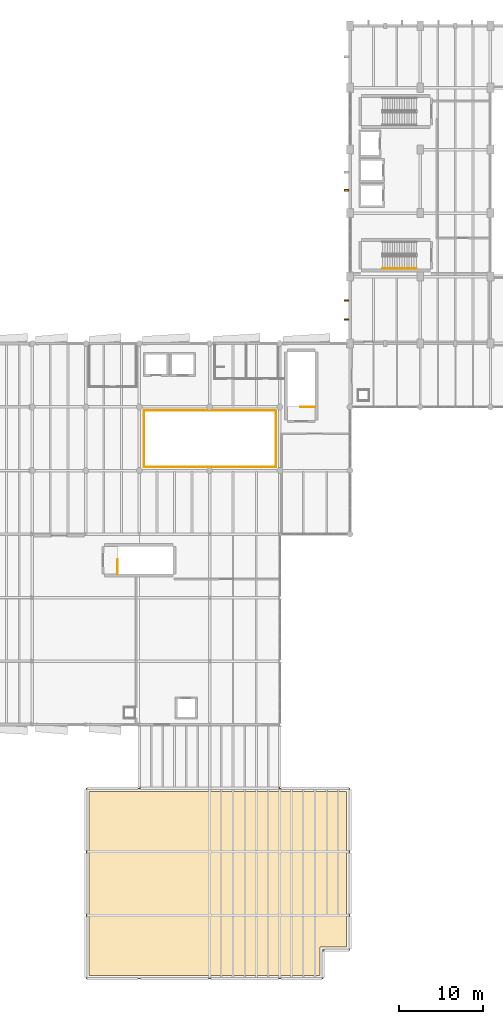
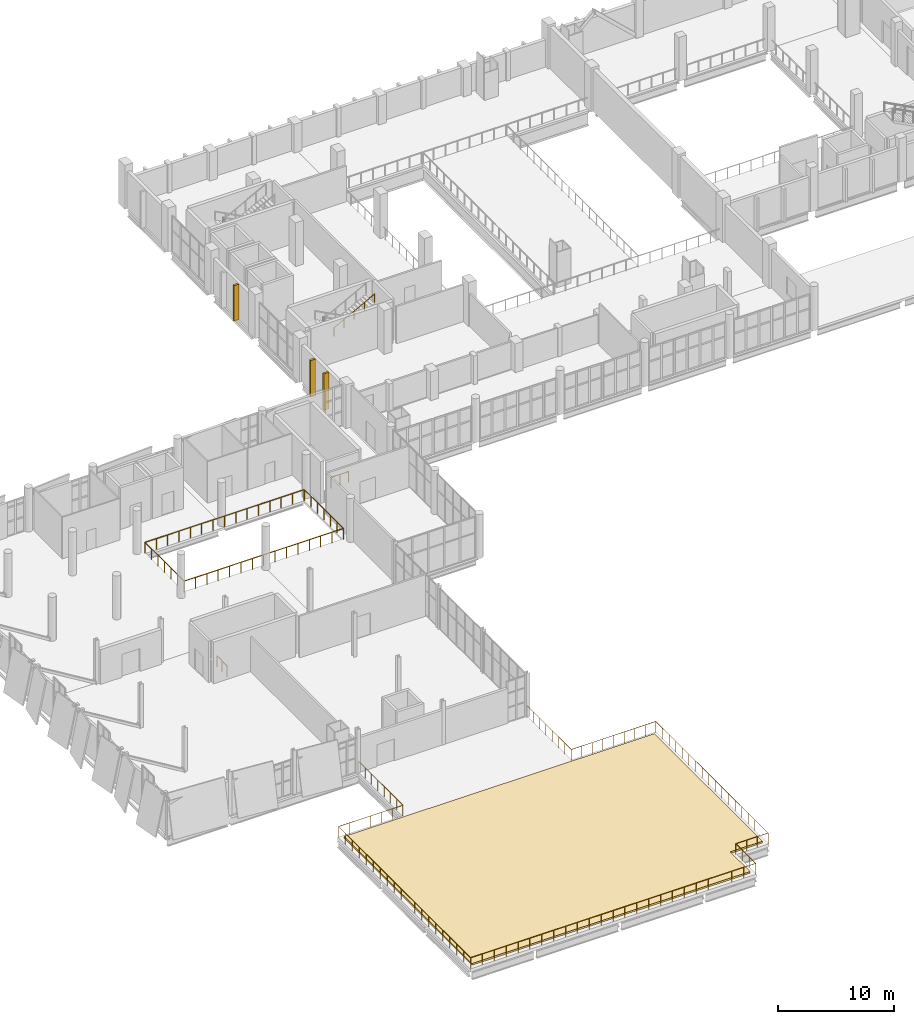
# One storey, part 67 of 74: 6 railings, 3 shading devices, 1 covering.
"""IFC4 building model written with IfcOpenShell, lengths in metres."""

from ifc_helpers import new_model, si_unit, direction, frame, origin, origin_2d, place, context, subcontext, project, spatial, polyline, rectangle, circle, outline, extrude, material, layer, layer_set, type_object, element, save


model = new_model("IFC4")

# Units and contexts
model_context = context("Model", 3, precision=1e-05, world=origin(), true_north=direction((0.0, 1.0)))
body_context = subcontext(model_context, "Body", "Model", "MODEL_VIEW")
ifc_project = project(units=[si_unit("LENGTHUNIT", "METRE"), si_unit("AREAUNIT", "SQUARE_METRE"), si_unit("VOLUMEUNIT", "CUBIC_METRE"), si_unit("PLANEANGLEUNIT", "RADIAN"), si_unit("MASSUNIT", "GRAM", prefix="KILO")], contexts=[model_context])

# Site, building, storey
site_placement = place(None, origin())
site = spatial("IfcSite", under=ifc_project, at=site_placement, CompositionType="ELEMENT")
building_placement = place(site_placement, origin())
building = spatial("IfcBuilding", under=site, at=building_placement, Name="Shengluoqiao Park Theatre", CompositionType="ELEMENT")
storey_placement = place(building_placement, frame((0.0, 0.0, 14.60009765625)))
storey = spatial("IfcBuildingStorey", under=building, at=storey_placement, Name="L03", CompositionType="ELEMENT", Elevation=14.60009765625)

# Covering
ifc_material_1 = material(Name="Planted roof substrate")
ifc_layer_1 = layer(ifc_material_1, 0.179931640625, Name="Planted roof substrate")
ifc_layer_set_1 = layer_set([ifc_layer_1], Name="Planted roof substrate")
covering_type = type_object("IfcCoveringType", Name="ENV-COV-RFGRN", PredefinedType="ROOFING", material=ifc_layer_set_1)
covering_placement = place(storey_placement, origin())
element("IfcCovering", 1, at=covering_placement, inside=storey, type_object=covering_type, Name="V4 Planted Roof Garden Substrate Layer", PredefinedType="ROOFING", context=body_context, shape_type="SweptSolid", body=[
    extrude(outline(polyline([(13.199951171875, 0.39990234375), (40.800048828125, 0.39990234375), (40.800048828125, 3.800048828125), (44.0, 3.800048828125), (44.0, 22.39990234375), (13.199951171875, 22.39990234375), (13.199951171875, 0.39990234375)])), origin(), (0.0, 0.0, 1.0), 0.179931640625),
])

# Shading devices
ifc_material_2 = material(Name="Concrete C45", Category="concrete")
ifc_layer_2 = layer(ifc_material_2, 0.199951171875, Name="Concrete C45")
ifc_layer_set_2 = layer_set([ifc_layer_2], Name="Concrete C45")
shading_device_type = type_object("IfcShadingDeviceType", Name="ENV-FIN-520x200", PredefinedType="USERDEFINED", material=ifc_layer_set_2)
for number, where, z_axis, x_axis, name in (
    (2, (43.989990234375, 78.851318359375, 0.02001953125), (0.0, 0.0, 1.0), (-1.0, 0.0, 0.0), "L03 Vertical Concrete Acoustic Rib 0055"),
    (3, (43.989990234375, 81.148681640625, 0.02001953125), (0.0, 0.0, 1.0), (-1.0, 0.0, 0.0), "L03 Vertical Concrete Acoustic Rib 0056"),
):
    element("IfcShadingDevice", number, at=place(storey_placement, frame(where, z_axis=z_axis, x_axis=x_axis)), inside=storey, type_object=shading_device_type, Name=name, ObjectType="FIN", PredefinedType="USERDEFINED", context=body_context, shape_type="SweptSolid", body=[
        extrude(rectangle(XDim=0.52001953125, YDim=0.199951171875, at=origin_2d()), origin(), (0.0, 0.0, 1.0), 3.837890625),
    ])
shading_device_placement = place(storey_placement, frame((43.989990234375, 94.318115234375, 0.02001953125), z_axis=(0.0, 0.0, 1.0), x_axis=(-1.0, 0.0, 0.0)))
element("IfcShadingDevice", 4, at=shading_device_placement, inside=storey, type_object=shading_device_type, Name="L03 Vertical Concrete Acoustic Rib 0057", ObjectType="FIN", PredefinedType="USERDEFINED", context=body_context, shape_type="SweptSolid", body=[
    extrude(rectangle(XDim=0.52001953125, YDim=0.199951171875, at=origin_2d()), origin(), (0.0, 0.0, 1.0), 3.7099609375),
])

# Railings
ifc_material_3 = material(Name="Stainless steel 316", Category="steel")
railing_type_1 = type_object("IfcRailingType", Name="ENV-RL-GRD115", PredefinedType="GUARDRAIL", material=ifc_material_3)
railing_1_placement = place(storey_placement, frame((19.25, 30.35009765625, 0.0)))
element("IfcRailing", 5, at=railing_1_placement, inside=storey, type_object=railing_type_1, Name="V4 Planted Roof Garden Safety Guardrail", PredefinedType="GUARDRAIL", context=body_context, shape_type="SweptSolid", body=[
    extrude(circle(Radius=0.02392578125, at=origin_2d()), frame((0.0, 0.0, 1.1259765625), z_axis=(0.0, -1.0, 0.0), x_axis=(1.0, 0.0, 0.0)), (0.0, 0.0, 1.0), 7.60009765625),
    extrude(circle(Radius=0.02392578125, at=origin_2d()), frame((0.0, -7.60009765625, 1.1259765625), z_axis=(-1.0, 0.0, 0.0), x_axis=(0.0, -1.0, 0.0)), (0.0, 0.0, 1.0), 6.39990234375),
    extrude(circle(Radius=0.02392578125, at=origin_2d()), frame((-6.39990234375, -7.60009765625, 1.1259765625), z_axis=(0.0, -1.0, 0.0), x_axis=(1.0, 0.0, 0.0)), (0.0, 0.0, 1.0), 22.699951171875),
    extrude(circle(Radius=0.02392578125, at=origin_2d()), frame((-6.39990234375, -30.300048828125, 1.1259765625), z_axis=(1.0, 0.0, 0.0), x_axis=(0.0, 1.0, 0.0)), (0.0, 0.0, 1.0), 28.2998046875),
    extrude(circle(Radius=0.02392578125, at=origin_2d()), frame((21.89990234375, -30.300048828125, 1.1259765625), z_axis=(0.0, 1.0, 0.0), x_axis=(-1.0, 0.0, 0.0)), (0.0, 0.0, 1.0), 3.39990234375),
    extrude(circle(Radius=0.02392578125, at=origin_2d()), frame((21.89990234375, -26.900146484375, 1.1259765625), z_axis=(1.0, 0.0, 0.0), x_axis=(0.0, 1.0, 0.0)), (0.0, 0.0, 1.0), 3.2001953125),
    extrude(circle(Radius=0.02392578125, at=origin_2d()), frame((25.10009765625, -26.900146484375, 1.1259765625), z_axis=(0.0, 1.0, 0.0), x_axis=(-1.0, 0.0, 0.0)), (0.0, 0.0, 1.0), 19.300048828125),
    extrude(circle(Radius=0.02392578125, at=origin_2d()), frame((25.10009765625, -7.60009765625, 1.1259765625), z_axis=(-1.0, 0.0, 0.0), x_axis=(0.0, -1.0, 0.0)), (0.0, 0.0, 1.0), 8.400146484375),
    extrude(circle(Radius=0.02392578125, at=origin_2d()), frame((16.699951171875, -7.60009765625, 1.1259765625), z_axis=(0.0, 1.0, 0.0), x_axis=(-1.0, 0.0, 0.0)), (0.0, 0.0, 1.0), 7.60009765625),
    extrude(circle(Radius=0.02099609375, at=origin_2d()), origin(), (0.0, 0.0, 1.0), 1.101806640625),
    extrude(circle(Radius=0.02099609375, at=origin_2d()), frame((0.0, -1.085693359375, 0.0)), (0.0, 0.0, 1.0), 1.101806640625),
    extrude(circle(Radius=0.02099609375, at=origin_2d()), frame((0.0, -2.17138671875, 0.0)), (0.0, 0.0, 1.0), 1.101806640625),
    extrude(circle(Radius=0.02099609375, at=origin_2d()), frame((0.0, -3.257080078125, 0.0)), (0.0, 0.0, 1.0), 1.101806640625),
    extrude(circle(Radius=0.02099609375, at=origin_2d()), frame((0.0, -4.343017578125, 0.0)), (0.0, 0.0, 1.0), 1.101806640625),
    extrude(circle(Radius=0.02099609375, at=origin_2d()), frame((0.0, -5.4287109375, 0.0)), (0.0, 0.0, 1.0), 1.101806640625),
    extrude(circle(Radius=0.02099609375, at=origin_2d()), frame((0.0, -6.514404296875, 0.0)), (0.0, 0.0, 1.0), 1.101806640625),
    extrude(circle(Radius=0.02099609375, at=origin_2d()), frame((0.0, -7.60009765625, 0.0)), (0.0, 0.0, 1.0), 1.101806640625),
    extrude(circle(Radius=0.02099609375, at=origin_2d()), frame((-1.066650390625, -7.60009765625, 0.0)), (0.0, 0.0, 1.0), 1.101806640625),
    extrude(circle(Radius=0.02099609375, at=origin_2d()), frame((-2.13330078125, -7.60009765625, 0.0)), (0.0, 0.0, 1.0), 1.101806640625),
    extrude(circle(Radius=0.02099609375, at=origin_2d()), frame((-3.199951171875, -7.60009765625, 0.0)), (0.0, 0.0, 1.0), 1.101806640625),
    extrude(circle(Radius=0.02099609375, at=origin_2d()), frame((-4.2666015625, -7.60009765625, 0.0)), (0.0, 0.0, 1.0), 1.101806640625),
    extrude(circle(Radius=0.02099609375, at=origin_2d()), frame((-5.333251953125, -7.60009765625, 0.0)), (0.0, 0.0, 1.0), 1.101806640625),
    extrude(circle(Radius=0.02099609375, at=origin_2d()), frame((-6.39990234375, -7.60009765625, 0.0)), (0.0, 0.0, 1.0), 1.101806640625),
    extrude(circle(Radius=0.02099609375, at=origin_2d()), frame((-6.39990234375, -8.794921875, 0.0)), (0.0, 0.0, 1.0), 1.101806640625),
    extrude(circle(Radius=0.02099609375, at=origin_2d()), frame((-6.39990234375, -9.989501953125, 0.0)), (0.0, 0.0, 1.0), 1.101806640625),
    extrude(circle(Radius=0.02099609375, at=origin_2d()), frame((-6.39990234375, -11.184326171875, 0.0)), (0.0, 0.0, 1.0), 1.101806640625),
    extrude(circle(Radius=0.02099609375, at=origin_2d()), frame((-6.39990234375, -12.379150390625, 0.0)), (0.0, 0.0, 1.0), 1.101806640625),
    extrude(circle(Radius=0.02099609375, at=origin_2d()), frame((-6.39990234375, -13.57373046875, 0.0)), (0.0, 0.0, 1.0), 1.101806640625),
    extrude(circle(Radius=0.02099609375, at=origin_2d()), frame((-6.39990234375, -14.7685546875, 0.0)), (0.0, 0.0, 1.0), 1.101806640625),
    extrude(circle(Radius=0.02099609375, at=origin_2d()), frame((-6.39990234375, -15.963134765625, 0.0)), (0.0, 0.0, 1.0), 1.101806640625),
    extrude(circle(Radius=0.02099609375, at=origin_2d()), frame((-6.39990234375, -17.157958984375, 0.0)), (0.0, 0.0, 1.0), 1.101806640625),
    extrude(circle(Radius=0.02099609375, at=origin_2d()), frame((-6.39990234375, -18.352783203125, 0.0)), (0.0, 0.0, 1.0), 1.101806640625),
    extrude(circle(Radius=0.02099609375, at=origin_2d()), frame((-6.39990234375, -19.54736328125, 0.0)), (0.0, 0.0, 1.0), 1.101806640625),
    extrude(circle(Radius=0.02099609375, at=origin_2d()), frame((-6.39990234375, -20.7421875, 0.0)), (0.0, 0.0, 1.0), 1.101806640625),
    extrude(circle(Radius=0.02099609375, at=origin_2d()), frame((-6.39990234375, -21.93701171875, 0.0)), (0.0, 0.0, 1.0), 1.101806640625),
    extrude(circle(Radius=0.02099609375, at=origin_2d()), frame((-6.39990234375, -23.131591796875, 0.0)), (0.0, 0.0, 1.0), 1.101806640625),
    extrude(circle(Radius=0.02099609375, at=origin_2d()), frame((-6.39990234375, -24.326416015625, 0.0)), (0.0, 0.0, 1.0), 1.101806640625),
    extrude(circle(Radius=0.02099609375, at=origin_2d()), frame((-6.39990234375, -25.52099609375, 0.0)), (0.0, 0.0, 1.0), 1.101806640625),
    extrude(circle(Radius=0.02099609375, at=origin_2d()), frame((-6.39990234375, -26.7158203125, 0.0)), (0.0, 0.0, 1.0), 1.101806640625),
    extrude(circle(Radius=0.02099609375, at=origin_2d()), frame((-6.39990234375, -27.91064453125, 0.0)), (0.0, 0.0, 1.0), 1.101806640625),
    extrude(circle(Radius=0.02099609375, at=origin_2d()), frame((-6.39990234375, -29.105224609375, 0.0)), (0.0, 0.0, 1.0), 1.101806640625),
    extrude(circle(Radius=0.02099609375, at=origin_2d()), frame((-6.39990234375, -30.300048828125, 0.0)), (0.0, 0.0, 1.0), 1.101806640625),
    extrude(circle(Radius=0.02099609375, at=origin_2d()), frame((-5.220703125, -30.300048828125, 0.0)), (0.0, 0.0, 1.0), 1.101806640625),
    extrude(circle(Radius=0.02099609375, at=origin_2d()), frame((-4.04150390625, -30.300048828125, 0.0)), (0.0, 0.0, 1.0), 1.101806640625),
    extrude(circle(Radius=0.02099609375, at=origin_2d()), frame((-2.8623046875, -30.300048828125, 0.0)), (0.0, 0.0, 1.0), 1.101806640625),
    extrude(circle(Radius=0.02099609375, at=origin_2d()), frame((-1.683349609375, -30.300048828125, 0.0)), (0.0, 0.0, 1.0), 1.101806640625),
    extrude(circle(Radius=0.02099609375, at=origin_2d()), frame((-0.504150390625, -30.300048828125, 0.0)), (0.0, 0.0, 1.0), 1.101806640625),
    extrude(circle(Radius=0.02099609375, at=origin_2d()), frame((0.675048828125, -30.300048828125, 0.0)), (0.0, 0.0, 1.0), 1.101806640625),
    extrude(circle(Radius=0.02099609375, at=origin_2d()), frame((1.854248046875, -30.300048828125, 0.0)), (0.0, 0.0, 1.0), 1.101806640625),
    extrude(circle(Radius=0.02099609375, at=origin_2d()), frame((3.033447265625, -30.300048828125, 0.0)), (0.0, 0.0, 1.0), 1.101806640625),
    extrude(circle(Radius=0.02099609375, at=origin_2d()), frame((4.21240234375, -30.300048828125, 0.0)), (0.0, 0.0, 1.0), 1.101806640625),
    extrude(circle(Radius=0.02099609375, at=origin_2d()), frame((5.3916015625, -30.300048828125, 0.0)), (0.0, 0.0, 1.0), 1.101806640625),
    extrude(circle(Radius=0.02099609375, at=origin_2d()), frame((6.57080078125, -30.300048828125, 0.0)), (0.0, 0.0, 1.0), 1.101806640625),
    extrude(circle(Radius=0.02099609375, at=origin_2d()), frame((7.75, -30.300048828125, 0.0)), (0.0, 0.0, 1.0), 1.101806640625),
    extrude(circle(Radius=0.02099609375, at=origin_2d()), frame((8.92919921875, -30.300048828125, 0.0)), (0.0, 0.0, 1.0), 1.101806640625),
    extrude(circle(Radius=0.02099609375, at=origin_2d()), frame((10.1083984375, -30.300048828125, 0.0)), (0.0, 0.0, 1.0), 1.101806640625),
    extrude(circle(Radius=0.02099609375, at=origin_2d()), frame((11.28759765625, -30.300048828125, 0.0)), (0.0, 0.0, 1.0), 1.101806640625),
    extrude(circle(Radius=0.02099609375, at=origin_2d()), frame((12.466552734375, -30.300048828125, 0.0)), (0.0, 0.0, 1.0), 1.101806640625),
    extrude(circle(Radius=0.02099609375, at=origin_2d()), frame((13.645751953125, -30.300048828125, 0.0)), (0.0, 0.0, 1.0), 1.101806640625),
    extrude(circle(Radius=0.02099609375, at=origin_2d()), frame((14.824951171875, -30.300048828125, 0.0)), (0.0, 0.0, 1.0), 1.101806640625),
    extrude(circle(Radius=0.02099609375, at=origin_2d()), frame((16.004150390625, -30.300048828125, 0.0)), (0.0, 0.0, 1.0), 1.101806640625),
    extrude(circle(Radius=0.02099609375, at=origin_2d()), frame((17.183349609375, -30.300048828125, 0.0)), (0.0, 0.0, 1.0), 1.101806640625),
    extrude(circle(Radius=0.02099609375, at=origin_2d()), frame((18.3623046875, -30.300048828125, 0.0)), (0.0, 0.0, 1.0), 1.101806640625),
    extrude(circle(Radius=0.02099609375, at=origin_2d()), frame((19.54150390625, -30.300048828125, 0.0)), (0.0, 0.0, 1.0), 1.101806640625),
    extrude(circle(Radius=0.02099609375, at=origin_2d()), frame((20.720703125, -30.300048828125, 0.0)), (0.0, 0.0, 1.0), 1.101806640625),
    extrude(circle(Radius=0.02099609375, at=origin_2d()), frame((21.89990234375, -30.300048828125, 0.0)), (0.0, 0.0, 1.0), 1.101806640625),
    extrude(circle(Radius=0.02099609375, at=origin_2d()), frame((21.89990234375, -29.166748046875, 0.0)), (0.0, 0.0, 1.0), 1.101806640625),
    extrude(circle(Radius=0.02099609375, at=origin_2d()), frame((21.89990234375, -28.033447265625, 0.0)), (0.0, 0.0, 1.0), 1.101806640625),
    extrude(circle(Radius=0.02099609375, at=origin_2d()), frame((21.89990234375, -26.900146484375, 0.0)), (0.0, 0.0, 1.0), 1.101806640625),
    extrude(circle(Radius=0.02099609375, at=origin_2d()), frame((22.966552734375, -26.900146484375, 0.0)), (0.0, 0.0, 1.0), 1.101806640625),
    extrude(circle(Radius=0.02099609375, at=origin_2d()), frame((24.033447265625, -26.900146484375, 0.0)), (0.0, 0.0, 1.0), 1.101806640625),
    extrude(circle(Radius=0.02099609375, at=origin_2d()), frame((25.10009765625, -26.900146484375, 0.0)), (0.0, 0.0, 1.0), 1.101806640625),
    extrude(circle(Radius=0.02099609375, at=origin_2d()), frame((25.10009765625, -25.764892578125, 0.0)), (0.0, 0.0, 1.0), 1.101806640625),
    extrude(circle(Radius=0.02099609375, at=origin_2d()), frame((25.10009765625, -24.629638671875, 0.0)), (0.0, 0.0, 1.0), 1.101806640625),
    extrude(circle(Radius=0.02099609375, at=origin_2d()), frame((25.10009765625, -23.494140625, 0.0)), (0.0, 0.0, 1.0), 1.101806640625),
    extrude(circle(Radius=0.02099609375, at=origin_2d()), frame((25.10009765625, -22.35888671875, 0.0)), (0.0, 0.0, 1.0), 1.101806640625),
    extrude(circle(Radius=0.02099609375, at=origin_2d()), frame((25.10009765625, -21.2236328125, 0.0)), (0.0, 0.0, 1.0), 1.101806640625),
    extrude(circle(Radius=0.02099609375, at=origin_2d()), frame((25.10009765625, -20.08837890625, 0.0)), (0.0, 0.0, 1.0), 1.101806640625),
    extrude(circle(Radius=0.02099609375, at=origin_2d()), frame((25.10009765625, -18.953125, 0.0)), (0.0, 0.0, 1.0), 1.101806640625),
    extrude(circle(Radius=0.02099609375, at=origin_2d()), frame((25.10009765625, -17.81787109375, 0.0)), (0.0, 0.0, 1.0), 1.101806640625),
    extrude(circle(Radius=0.02099609375, at=origin_2d()), frame((25.10009765625, -16.682373046875, 0.0)), (0.0, 0.0, 1.0), 1.101806640625),
    extrude(circle(Radius=0.02099609375, at=origin_2d()), frame((25.10009765625, -15.547119140625, 0.0)), (0.0, 0.0, 1.0), 1.101806640625),
    extrude(circle(Radius=0.02099609375, at=origin_2d()), frame((25.10009765625, -14.411865234375, 0.0)), (0.0, 0.0, 1.0), 1.101806640625),
    extrude(circle(Radius=0.02099609375, at=origin_2d()), frame((25.10009765625, -13.276611328125, 0.0)), (0.0, 0.0, 1.0), 1.101806640625),
    extrude(circle(Radius=0.02099609375, at=origin_2d()), frame((25.10009765625, -12.141357421875, 0.0)), (0.0, 0.0, 1.0), 1.101806640625),
    extrude(circle(Radius=0.02099609375, at=origin_2d()), frame((25.10009765625, -11.006103515625, 0.0)), (0.0, 0.0, 1.0), 1.101806640625),
    extrude(circle(Radius=0.02099609375, at=origin_2d()), frame((25.10009765625, -9.87060546875, 0.0)), (0.0, 0.0, 1.0), 1.101806640625),
    extrude(circle(Radius=0.02099609375, at=origin_2d()), frame((25.10009765625, -8.7353515625, 0.0)), (0.0, 0.0, 1.0), 1.101806640625),
    extrude(circle(Radius=0.02099609375, at=origin_2d()), frame((25.10009765625, -7.60009765625, 0.0)), (0.0, 0.0, 1.0), 1.101806640625),
    extrude(circle(Radius=0.02099609375, at=origin_2d()), frame((24.050048828125, -7.60009765625, 0.0)), (0.0, 0.0, 1.0), 1.101806640625),
    extrude(circle(Radius=0.02099609375, at=origin_2d()), frame((23.0, -7.60009765625, 0.0)), (0.0, 0.0, 1.0), 1.101806640625),
    extrude(circle(Radius=0.02099609375, at=origin_2d()), frame((21.949951171875, -7.60009765625, 0.0)), (0.0, 0.0, 1.0), 1.101806640625),
    extrude(circle(Radius=0.02099609375, at=origin_2d()), frame((20.89990234375, -7.60009765625, 0.0)), (0.0, 0.0, 1.0), 1.101806640625),
    extrude(circle(Radius=0.02099609375, at=origin_2d()), frame((19.85009765625, -7.60009765625, 0.0)), (0.0, 0.0, 1.0), 1.101806640625),
    extrude(circle(Radius=0.02099609375, at=origin_2d()), frame((18.800048828125, -7.60009765625, 0.0)), (0.0, 0.0, 1.0), 1.101806640625),
    extrude(circle(Radius=0.02099609375, at=origin_2d()), frame((17.75, -7.60009765625, 0.0)), (0.0, 0.0, 1.0), 1.101806640625),
    extrude(circle(Radius=0.02099609375, at=origin_2d()), frame((16.699951171875, -7.60009765625, 0.0)), (0.0, 0.0, 1.0), 1.101806640625),
    extrude(circle(Radius=0.02099609375, at=origin_2d()), frame((16.699951171875, -6.514404296875, 0.0)), (0.0, 0.0, 1.0), 1.101806640625),
    extrude(circle(Radius=0.02099609375, at=origin_2d()), frame((16.699951171875, -5.4287109375, 0.0)), (0.0, 0.0, 1.0), 1.101806640625),
    extrude(circle(Radius=0.02099609375, at=origin_2d()), frame((16.699951171875, -4.343017578125, 0.0)), (0.0, 0.0, 1.0), 1.101806640625),
    extrude(circle(Radius=0.02099609375, at=origin_2d()), frame((16.699951171875, -3.257080078125, 0.0)), (0.0, 0.0, 1.0), 1.101806640625),
    extrude(circle(Radius=0.02099609375, at=origin_2d()), frame((16.699951171875, -2.17138671875, 0.0)), (0.0, 0.0, 1.0), 1.101806640625),
    extrude(circle(Radius=0.02099609375, at=origin_2d()), frame((16.699951171875, -1.085693359375, 0.0)), (0.0, 0.0, 1.0), 1.101806640625),
    extrude(circle(Radius=0.02099609375, at=origin_2d()), frame((16.699951171875, 0.0, 0.0)), (0.0, 0.0, 1.0), 1.101806640625),
])
ifc_material_4 = material(Name="Tempered laminated glass", Category="glass")
railing_type_2 = type_object("IfcRailingType", Name="INT-RL-BAL115", PredefinedType="BALUSTRADE", material=ifc_material_4)
railing_2_placement = place(storey_placement, frame((19.739990234375, 61.239990234375, 0.0)))
element("IfcRailing", 6, at=railing_2_placement, inside=storey, type_object=railing_type_2, Name="L03 VOID-L03-ATRIUM South-East Balustrade 0014", PredefinedType="BALUSTRADE", context=body_context, shape_type="SweptSolid", body=[
    extrude(circle(Radius=0.02392578125, at=origin_2d()), frame((0.0, 0.0, 1.1259765625), z_axis=(1.0, 0.0, 0.0), x_axis=(0.0, 1.0, 0.0)), (0.0, 0.0, 1.0), 15.820068359375),
    extrude(circle(Radius=0.02392578125, at=origin_2d()), frame((15.820068359375, 0.0, 1.1259765625), z_axis=(0.0, 1.0, 0.0), x_axis=(-1.0, 0.0, 0.0)), (0.0, 0.0, 1.0), 6.679931640625),
    extrude(circle(Radius=0.02099609375, at=origin_2d()), origin(), (0.0, 0.0, 1.0), 1.101806640625),
    extrude(circle(Radius=0.02099609375, at=origin_2d()), frame((1.1298828125, 0.0, 0.0)), (0.0, 0.0, 1.0), 1.101806640625),
    extrude(circle(Radius=0.02099609375, at=origin_2d()), frame((2.260009765625, 0.0, 0.0)), (0.0, 0.0, 1.0), 1.101806640625),
    extrude(circle(Radius=0.02099609375, at=origin_2d()), frame((3.39013671875, 0.0, 0.0)), (0.0, 0.0, 1.0), 1.101806640625),
    extrude(circle(Radius=0.02099609375, at=origin_2d()), frame((4.52001953125, 0.0, 0.0)), (0.0, 0.0, 1.0), 1.101806640625),
    extrude(circle(Radius=0.02099609375, at=origin_2d()), frame((5.64990234375, 0.0, 0.0)), (0.0, 0.0, 1.0), 1.101806640625),
    extrude(circle(Radius=0.02099609375, at=origin_2d()), frame((6.780029296875, 0.0, 0.0)), (0.0, 0.0, 1.0), 1.101806640625),
    extrude(circle(Radius=0.02099609375, at=origin_2d()), frame((7.91015625, 0.0, 0.0)), (0.0, 0.0, 1.0), 1.101806640625),
    extrude(circle(Radius=0.02099609375, at=origin_2d()), frame((9.0400390625, 0.0, 0.0)), (0.0, 0.0, 1.0), 1.101806640625),
    extrude(circle(Radius=0.02099609375, at=origin_2d()), frame((10.169921875, 0.0, 0.0)), (0.0, 0.0, 1.0), 1.101806640625),
    extrude(circle(Radius=0.02099609375, at=origin_2d()), frame((11.300048828125, 0.0, 0.0)), (0.0, 0.0, 1.0), 1.101806640625),
    extrude(circle(Radius=0.02099609375, at=origin_2d()), frame((12.43017578125, 0.0, 0.0)), (0.0, 0.0, 1.0), 1.101806640625),
    extrude(circle(Radius=0.02099609375, at=origin_2d()), frame((13.56005859375, 0.0, 0.0)), (0.0, 0.0, 1.0), 1.101806640625),
    extrude(circle(Radius=0.02099609375, at=origin_2d()), frame((14.68994140625, 0.0, 0.0)), (0.0, 0.0, 1.0), 1.101806640625),
    extrude(circle(Radius=0.02099609375, at=origin_2d()), frame((15.820068359375, 0.0, 0.0)), (0.0, 0.0, 1.0), 1.101806640625),
    extrude(circle(Radius=0.02099609375, at=origin_2d()), frame((15.820068359375, 1.11328125, 0.0)), (0.0, 0.0, 1.0), 1.101806640625),
    extrude(circle(Radius=0.02099609375, at=origin_2d()), frame((15.820068359375, 2.2265625, 0.0)), (0.0, 0.0, 1.0), 1.101806640625),
    extrude(circle(Radius=0.02099609375, at=origin_2d()), frame((15.820068359375, 3.33984375, 0.0)), (0.0, 0.0, 1.0), 1.101806640625),
    extrude(circle(Radius=0.02099609375, at=origin_2d()), frame((15.820068359375, 4.453369140625, 0.0)), (0.0, 0.0, 1.0), 1.101806640625),
    extrude(circle(Radius=0.02099609375, at=origin_2d()), frame((15.820068359375, 5.566650390625, 0.0)), (0.0, 0.0, 1.0), 1.101806640625),
    extrude(circle(Radius=0.02099609375, at=origin_2d()), frame((15.820068359375, 6.679931640625, 0.0)), (0.0, 0.0, 1.0), 1.101806640625),
])
railing_3_placement = place(storey_placement, frame((35.52001953125, 67.9599609375, 0.0)))
element("IfcRailing", 7, at=railing_3_placement, inside=storey, type_object=railing_type_2, Name="L03 VOID-L03-ATRIUM North-West Balustrade 0015", PredefinedType="BALUSTRADE", context=body_context, shape_type="SweptSolid", body=[
    extrude(circle(Radius=0.02392578125, at=origin_2d()), frame((0.0, 0.0, 1.1259765625), z_axis=(-1.0, 0.0, 0.0), x_axis=(0.0, -1.0, 0.0)), (0.0, 0.0, 1.0), 15.780029296875),
    extrude(circle(Radius=0.02392578125, at=origin_2d()), frame((-15.780029296875, 0.0, 1.1259765625), z_axis=(0.0, -1.0, 0.0), x_axis=(1.0, 0.0, 0.0)), (0.0, 0.0, 1.0), 6.679931640625),
    extrude(circle(Radius=0.02099609375, at=origin_2d()), origin(), (0.0, 0.0, 1.0), 1.101806640625),
    extrude(circle(Radius=0.02099609375, at=origin_2d()), frame((-1.127197265625, 0.0, 0.0)), (0.0, 0.0, 1.0), 1.101806640625),
    extrude(circle(Radius=0.02099609375, at=origin_2d()), frame((-2.25439453125, 0.0, 0.0)), (0.0, 0.0, 1.0), 1.101806640625),
    extrude(circle(Radius=0.02099609375, at=origin_2d()), frame((-3.38134765625, 0.0, 0.0)), (0.0, 0.0, 1.0), 1.101806640625),
    extrude(circle(Radius=0.02099609375, at=origin_2d()), frame((-4.508544921875, 0.0, 0.0)), (0.0, 0.0, 1.0), 1.101806640625),
    extrude(circle(Radius=0.02099609375, at=origin_2d()), frame((-5.6357421875, 0.0, 0.0)), (0.0, 0.0, 1.0), 1.101806640625),
    extrude(circle(Radius=0.02099609375, at=origin_2d()), frame((-6.762939453125, 0.0, 0.0)), (0.0, 0.0, 1.0), 1.101806640625),
    extrude(circle(Radius=0.02099609375, at=origin_2d()), frame((-7.89013671875, 0.0, 0.0)), (0.0, 0.0, 1.0), 1.101806640625),
    extrude(circle(Radius=0.02099609375, at=origin_2d()), frame((-9.01708984375, 0.0, 0.0)), (0.0, 0.0, 1.0), 1.101806640625),
    extrude(circle(Radius=0.02099609375, at=origin_2d()), frame((-10.144287109375, 0.0, 0.0)), (0.0, 0.0, 1.0), 1.101806640625),
    extrude(circle(Radius=0.02099609375, at=origin_2d()), frame((-11.271484375, 0.0, 0.0)), (0.0, 0.0, 1.0), 1.101806640625),
    extrude(circle(Radius=0.02099609375, at=origin_2d()), frame((-12.398681640625, 0.0, 0.0)), (0.0, 0.0, 1.0), 1.101806640625),
    extrude(circle(Radius=0.02099609375, at=origin_2d()), frame((-13.525634765625, 0.0, 0.0)), (0.0, 0.0, 1.0), 1.101806640625),
    extrude(circle(Radius=0.02099609375, at=origin_2d()), frame((-14.65283203125, 0.0, 0.0)), (0.0, 0.0, 1.0), 1.101806640625),
    extrude(circle(Radius=0.02099609375, at=origin_2d()), frame((-15.780029296875, 0.0, 0.0)), (0.0, 0.0, 1.0), 1.101806640625),
    extrude(circle(Radius=0.02099609375, at=origin_2d()), frame((-15.780029296875, -1.11328125, 0.0)), (0.0, 0.0, 1.0), 1.101806640625),
    extrude(circle(Radius=0.02099609375, at=origin_2d()), frame((-15.780029296875, -2.2265625, 0.0)), (0.0, 0.0, 1.0), 1.101806640625),
    extrude(circle(Radius=0.02099609375, at=origin_2d()), frame((-15.780029296875, -3.33984375, 0.0)), (0.0, 0.0, 1.0), 1.101806640625),
    extrude(circle(Radius=0.02099609375, at=origin_2d()), frame((-15.780029296875, -4.453369140625, 0.0)), (0.0, 0.0, 1.0), 1.101806640625),
    extrude(circle(Radius=0.02099609375, at=origin_2d()), frame((-15.780029296875, -5.566650390625, 0.0)), (0.0, 0.0, 1.0), 1.101806640625),
    extrude(circle(Radius=0.02099609375, at=origin_2d()), frame((-15.780029296875, -6.679931640625, 0.0)), (0.0, 0.0, 1.0), 1.101806640625),
])
ifc_material_5 = material(Name="Painted steel", Category="steel")
railing_type_3 = type_object("IfcRailingType", Name="INT-RL-STGRD", PredefinedType="GUARDRAIL", material=ifc_material_5)
railing_4_placement = place(storey_placement, frame((40.199951171875, 68.39990234375, 0.0)))
element("IfcRailing", 8, at=railing_4_placement, inside=storey, type_object=railing_type_3, Name="L03 ST-01 top well guard 1", PredefinedType="GUARDRAIL", context=body_context, shape_type="SweptSolid", body=[
    extrude(circle(Radius=0.02392578125, at=origin_2d()), frame((0.0, 0.0, 1.1259765625), z_axis=(-1.0, 0.0, 0.0), x_axis=(0.0, -1.0, 0.0)), (0.0, 0.0, 1.0), 1.739990234375),
    extrude(circle(Radius=0.02099609375, at=origin_2d()), origin(), (0.0, 0.0, 1.0), 1.101806640625),
    extrude(circle(Radius=0.02099609375, at=origin_2d()), frame((-0.8701171875, 0.0, 0.0)), (0.0, 0.0, 1.0), 1.101806640625),
    extrude(circle(Radius=0.02099609375, at=origin_2d()), frame((-1.739990234375, 0.0, 0.0)), (0.0, 0.0, 1.0), 1.101806640625),
])
railing_5_placement = place(storey_placement, frame((16.60009765625, 48.39990234375, 0.0)))
element("IfcRailing", 9, at=railing_5_placement, inside=storey, type_object=railing_type_3, Name="L03 ST-13 top well guard 1", PredefinedType="GUARDRAIL", context=body_context, shape_type="SweptSolid", body=[
    extrude(circle(Radius=0.02392578125, at=origin_2d()), frame((0.0, 0.0, 1.1259765625), z_axis=(0.0, 1.0, 0.0), x_axis=(-1.0, 0.0, 0.0)), (0.0, 0.0, 1.0), 1.739990234375),
    extrude(circle(Radius=0.02099609375, at=origin_2d()), origin(), (0.0, 0.0, 1.0), 1.101806640625),
    extrude(circle(Radius=0.02099609375, at=origin_2d()), frame((0.0, 0.8701171875, 0.0)), (0.0, 0.0, 1.0), 1.101806640625),
    extrude(circle(Radius=0.02099609375, at=origin_2d()), frame((0.0, 1.739990234375, 0.0)), (0.0, 0.0, 1.0), 1.101806640625),
])
ifc_material_6 = material(Name="Stainless steel 304", Category="steel")
railing_type_4 = type_object("IfcRailingType", Name="INT-RL-STHR", PredefinedType="HANDRAIL", material=ifc_material_6)
railing_6_placement = place(storey_placement, frame((48.2900390625, 84.949951171875, 2.453125)))
element("IfcRailing", 10, at=railing_6_placement, inside=storey, type_object=railing_type_4, Name="L03 ST-02 stair handrail 2", PredefinedType="HANDRAIL", context=body_context, shape_type="SweptSolid", body=[
    extrude(circle(Radius=0.02392578125, at=origin_2d()), frame((0.0, 0.0, 0.8759765625), z_axis=(0.884032182968, 0.0, 0.46742603637), x_axis=(0.0, 1.0, 0.0)), (0.0, 0.0, 1.0), 4.5927734375),
    extrude(circle(Radius=0.02099609375, at=origin_2d()), origin(), (0.0, 0.0, 1.0), 0.851806640625),
    extrude(circle(Radius=0.02099609375, at=origin_2d()), frame((1.01513671875, 0.0, 0.53662109375)), (0.0, 0.0, 1.0), 0.851806640625),
    extrude(circle(Radius=0.02099609375, at=origin_2d()), frame((2.030029296875, 0.0, 1.0732421875)), (0.0, 0.0, 1.0), 0.851806640625),
    extrude(circle(Radius=0.02099609375, at=origin_2d()), frame((3.044921875, 0.0, 1.610107421875)), (0.0, 0.0, 1.0), 0.851806640625),
    extrude(circle(Radius=0.02099609375, at=origin_2d()), frame((4.06005859375, 0.0, 2.146728515625)), (0.0, 0.0, 1.0), 0.851806640625),
])

save(model, "model.ifc")
